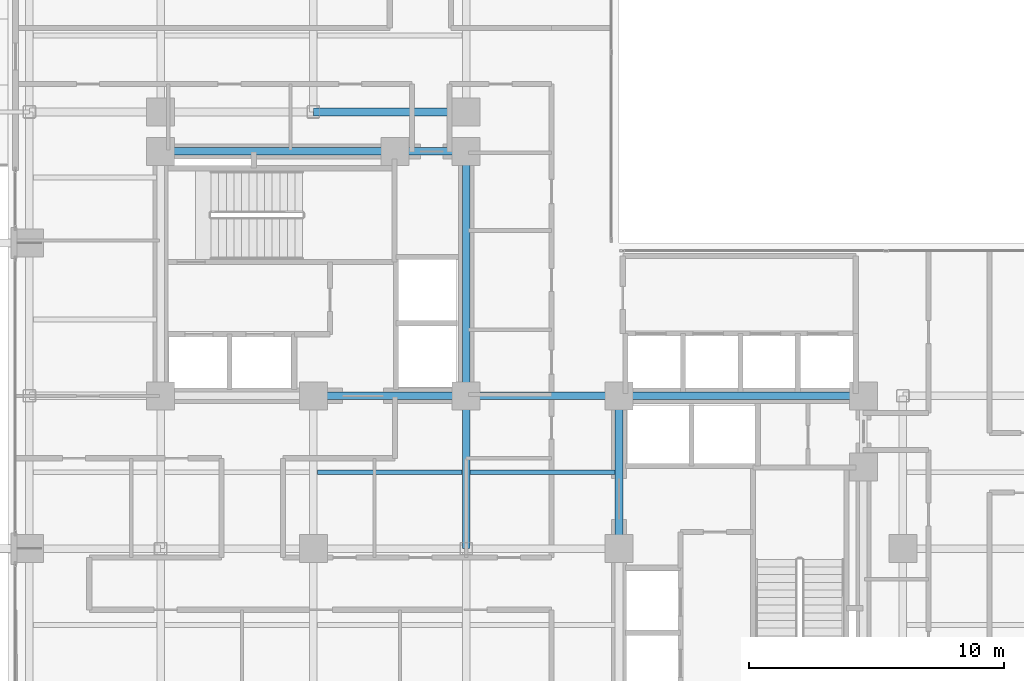
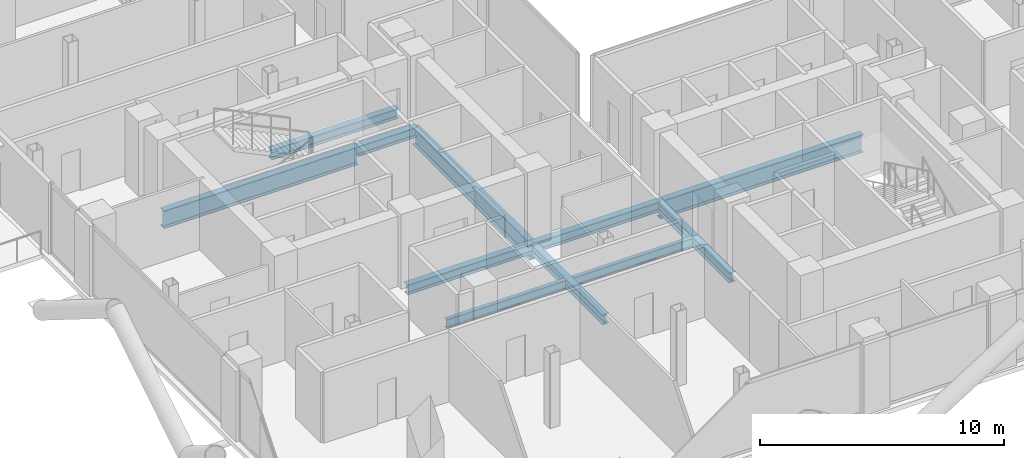
# One storey, part 8 of 28: 11 beams.
"""IFC4 building model written with IfcOpenShell, lengths in metres."""

from ifc_helpers import new_model, si_unit, direction, frame, origin, origin_2d, place, context, subcontext, project, spatial, i_section, extrude, material, material_profile, profile_set, type_object, element, save


model = new_model("IFC4")

# Units and contexts
model_context = context("Model", 3, precision=1e-05, world=origin(), true_north=direction((0.0, 1.0)))
body_context = subcontext(model_context, "Body", "Model", "MODEL_VIEW")
ifc_project = project(units=[si_unit("LENGTHUNIT", "METRE"), si_unit("AREAUNIT", "SQUARE_METRE"), si_unit("VOLUMEUNIT", "CUBIC_METRE"), si_unit("PLANEANGLEUNIT", "RADIAN"), si_unit("MASSUNIT", "GRAM", prefix="KILO"), si_unit("THERMODYNAMICTEMPERATUREUNIT", "KELVIN"), si_unit("POWERUNIT", "WATT")], contexts=[model_context])

# Site, building, storey
site_placement = place(None, origin())
site = spatial("IfcSite", under=ifc_project, at=site_placement, CompositionType="ELEMENT")
building_placement = place(site_placement, origin())
building = spatial("IfcBuilding", under=site, at=building_placement, Name="Svarakhadi Broadcast Tower", CompositionType="ELEMENT")
storey_placement = place(building_placement, frame((0.0, 0.0, 153.14990234375)))
storey = spatial("IfcBuildingStorey", under=building, at=storey_placement, Name="L37", CompositionType="ELEMENT", Elevation=153.14990234375)

# Beams
ifc_material_1 = material(Name="Steel S355J2 (IS 2062 E350C)", Category="steel")
ifc_material_profile_1 = material_profile(ifc_material_1, i_section(OverallWidth=0.18994140625, OverallDepth=0.449951171875, WebThickness=0.009521484375, FlangeThickness=0.0146484375, FilletRadius=0.02099609375, at=origin_2d()), Name="NPB 450x190x78")
ifc_profile_set_1 = profile_set([ifc_material_profile_1], Name="Steel S355J2 (IS 2062 E350C)")
beam_type_1 = type_object("IfcBeamType", Name="Beam_NPB450", PredefinedType="BEAM", material=ifc_profile_set_1)
for number, where, z_axis, x_axis, name in (
    (1, (12.159912109375, 15.0, -0.449951171875), (1.0, 0.0, 0.0), (0.0, 1.0, 0.0), "L37 Secondary Composite Beam SB013"),
    (2, (18.159912109375, 15.0, -0.449951171875), (1.0, 0.0, 0.0), (0.0, 1.0, 0.0), "L37 Secondary Composite Beam SB018"),
):
    element("IfcBeam", number, at=place(storey_placement, frame(where, z_axis=z_axis, x_axis=x_axis)), inside=storey, type_object=beam_type_1, Name=name, PredefinedType="BEAM", context=body_context, shape_type="SweptSolid", body=[
        extrude(i_section(OverallWidth=0.18994140625, OverallDepth=0.449951171875, WebThickness=0.009521484375, FlangeThickness=0.0146484375, FilletRadius=0.02099609375, at=origin_2d()), origin(), (0.0, 0.0, 1.0), 5.68017578125),
    ])
ifc_material_profile_2 = material_profile(ifc_material_1, i_section(OverallWidth=0.300048828125, OverallDepth=0.5, WebThickness=0.014404296875, FlangeThickness=0.028076171875, FilletRadius=0.027099609375, at=origin_2d()), Name="WPB 500x300x187")
ifc_profile_set_2 = profile_set([ifc_material_profile_2], Name="Steel S355J2 (IS 2062 E350C)")
beam_type_2 = type_object("IfcBeamType", Name="Girder_WPB500", PredefinedType="USERDEFINED", material=ifc_profile_set_2)
for number, where, z_axis, x_axis, name in (
    (3, (12.0, 18.0, -0.474853515625), (1.0, 0.0, 0.0), (0.0, 1.0, 0.0), "L37 Primary E-W Girder G025"),
    (4, (18.0, 18.0, -0.474853515625), (1.0, 0.0, 0.0), (0.0, 1.0, 0.0), "L37 Primary E-W Girder G026"),
):
    element("IfcBeam", number, at=place(storey_placement, frame(where, z_axis=z_axis, x_axis=x_axis)), inside=storey, type_object=beam_type_2, Name=name, ObjectType="GIRDER", PredefinedType="USERDEFINED", context=body_context, shape_type="SweptSolid", body=[
        extrude(i_section(OverallWidth=0.300048828125, OverallDepth=0.5, WebThickness=0.014404296875, FlangeThickness=0.028076171875, FilletRadius=0.027099609375, at=origin_2d()), origin(), (0.0, 0.0, 1.0), 6.0),
    ])
beam_1_placement = place(storey_placement, frame((15.199951171875, 27.60009765625, -0.474853515625), z_axis=(1.0, 0.0, 0.0), x_axis=(0.0, 1.0, 0.0)))
element("IfcBeam", 5, at=beam_1_placement, inside=storey, type_object=beam_type_2, Name="L37 Primary E-W Girder G031", ObjectType="GIRDER", PredefinedType="USERDEFINED", context=body_context, shape_type="SweptSolid", body=[
    extrude(i_section(OverallWidth=0.300048828125, OverallDepth=0.5, WebThickness=0.014404296875, FlangeThickness=0.028076171875, FilletRadius=0.027099609375, at=origin_2d()), origin(), (0.0, 0.0, 1.0), 2.800048828125),
])
for number, where, z_axis, x_axis, name in (
    (6, (12.0, 29.14990234375, -0.474853515625), (1.0, 0.0, 0.0), (0.0, 1.0, 0.0), "L37 Primary E-W Girder G034"),
    (7, (18.0, 12.0, -0.474853515625), (0.0, 1.0, 0.0), (-1.0, 0.0, 0.0), "L37 Primary N-S Girder G058"),
    (8, (24.0, 12.0, -0.474853515625), (0.0, 1.0, 0.0), (-1.0, 0.0, 0.0), "L37 Primary N-S Girder G064"),
):
    element("IfcBeam", number, at=place(storey_placement, frame(where, z_axis=z_axis, x_axis=x_axis)), inside=storey, type_object=beam_type_2, Name=name, ObjectType="GIRDER", PredefinedType="USERDEFINED", context=body_context, shape_type="SweptSolid", body=[
        extrude(i_section(OverallWidth=0.300048828125, OverallDepth=0.5, WebThickness=0.014404296875, FlangeThickness=0.028076171875, FilletRadius=0.027099609375, at=origin_2d()), origin(), (0.0, 0.0, 1.0), 6.0),
    ])
ifc_material_2 = material(Name="Steel S460ML (IS 2062 E450BR)", Category="steel")
ifc_material_profile_3 = material_profile(ifc_material_2, i_section(OverallWidth=0.300048828125, OverallDepth=0.89990234375, WebThickness=0.0185546875, FlangeThickness=0.034912109375, FilletRadius=0.030029296875, at=origin_2d()), Name="WPB 900x300x291")
ifc_profile_set_3 = profile_set([ifc_material_profile_3], Name="Steel S460ML (IS 2062 E450BR)")
beam_type_3 = type_object("IfcBeamType", Name="Girder_WPB900", PredefinedType="USERDEFINED", material=ifc_profile_set_3)
beam_2_placement = place(storey_placement, frame((24.0, 18.0, -0.6748046875), z_axis=(1.0, 0.0, 0.0), x_axis=(0.0, 1.0, 0.0)))
element("IfcBeam", 9, at=beam_2_placement, inside=storey, type_object=beam_type_3, Name="L37 Primary E-W Girder G027", ObjectType="GIRDER", PredefinedType="USERDEFINED", context=body_context, shape_type="SweptSolid", body=[
    extrude(i_section(OverallWidth=0.300048828125, OverallDepth=0.89990234375, WebThickness=0.0185546875, FlangeThickness=0.034912109375, FilletRadius=0.030029296875, at=origin_2d()), origin(), (0.0, 0.0, 1.0), 9.60009765625),
])
beam_3_placement = place(storey_placement, frame((6.0, 27.60009765625, -0.6748046875), z_axis=(1.0, 0.0, 0.0), x_axis=(0.0, 1.0, 0.0)))
element("IfcBeam", 10, at=beam_3_placement, inside=storey, type_object=beam_type_3, Name="L37 Primary E-W Girder G030", ObjectType="GIRDER", PredefinedType="USERDEFINED", context=body_context, shape_type="SweptSolid", body=[
    extrude(i_section(OverallWidth=0.300048828125, OverallDepth=0.89990234375, WebThickness=0.0185546875, FlangeThickness=0.034912109375, FilletRadius=0.030029296875, at=origin_2d()), origin(), (0.0, 0.0, 1.0), 9.199951171875),
])
beam_4_placement = place(storey_placement, frame((18.0, 18.0, -0.6748046875), z_axis=(0.0, 1.0, 0.0), x_axis=(-1.0, 0.0, 0.0)))
element("IfcBeam", 11, at=beam_4_placement, inside=storey, type_object=beam_type_3, Name="L37 Primary N-S Girder G059", ObjectType="GIRDER", PredefinedType="USERDEFINED", context=body_context, shape_type="SweptSolid", body=[
    extrude(i_section(OverallWidth=0.300048828125, OverallDepth=0.89990234375, WebThickness=0.0185546875, FlangeThickness=0.034912109375, FilletRadius=0.030029296875, at=origin_2d()), origin(), (0.0, 0.0, 1.0), 9.60009765625),
])

save(model, "model.ifc")
